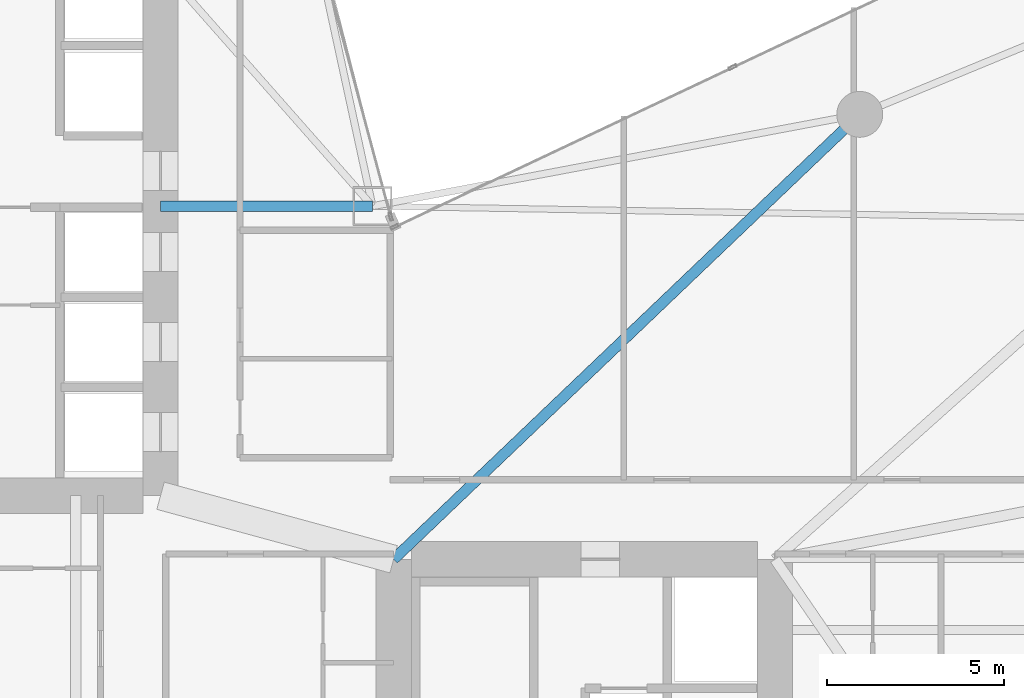
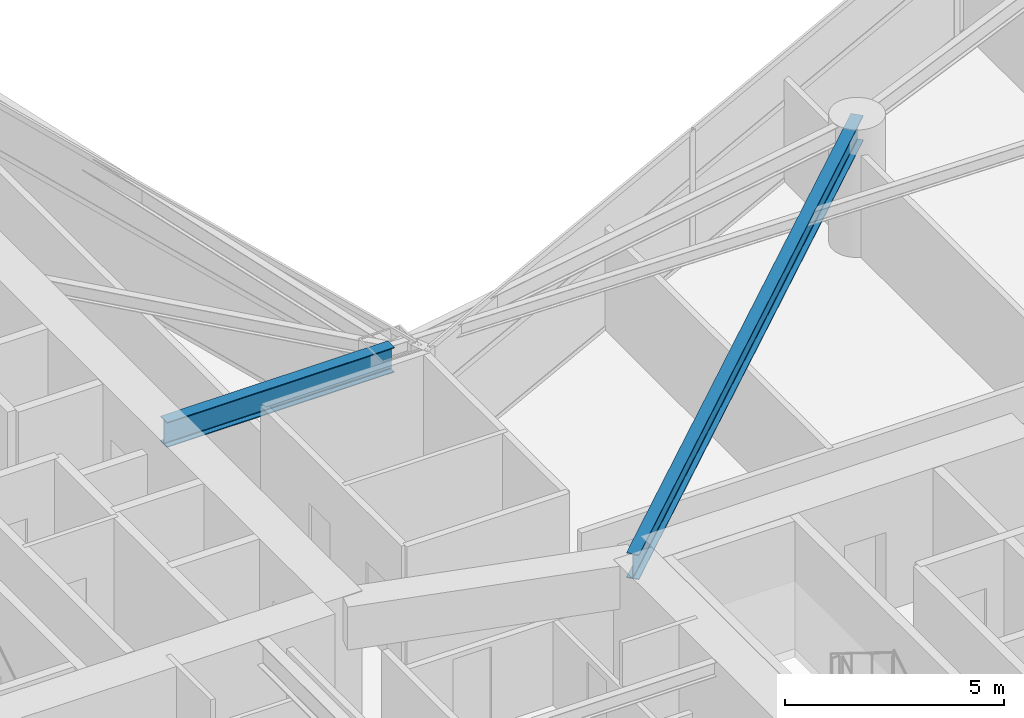
# One storey, part 9 of 30: 2 beams.
"""IFC4 building model written with IfcOpenShell, lengths in metres."""

from ifc_helpers import new_model, si_unit, direction, frame, origin, origin_2d, place, context, subcontext, project, spatial, i_section, extrude, material, material_profile, profile_set, type_object, element, save


model = new_model("IFC4")

# Units and contexts
model_context = context("Model", 3, precision=1e-05, world=origin(), true_north=direction((0.0, 1.0)))
body_context = subcontext(model_context, "Body", "Model", "MODEL_VIEW")
ifc_project = project(units=[si_unit("LENGTHUNIT", "METRE"), si_unit("AREAUNIT", "SQUARE_METRE"), si_unit("VOLUMEUNIT", "CUBIC_METRE"), si_unit("PLANEANGLEUNIT", "RADIAN"), si_unit("MASSUNIT", "GRAM", prefix="KILO")], contexts=[model_context])

# Site, building, storey
site_placement = place(None, origin())
site = spatial("IfcSite", under=ifc_project, at=site_placement, CompositionType="ELEMENT")
building_placement = place(site_placement, origin())
building = spatial("IfcBuilding", under=site, at=building_placement, Name="Calvorn Quay Hotel", CompositionType="ELEMENT")
storey_placement = place(building_placement, frame((0.0, 0.0, 73.60009765625)))
storey = spatial("IfcBuildingStorey", under=building, at=storey_placement, Name="L17", CompositionType="ELEMENT", Elevation=73.60009765625)

# Beams
ifc_material = material(Name="Steel Q390GJC", Category="steel")
ifc_material_profile = material_profile(ifc_material, i_section(OverallWidth=0.300048828125, OverallDepth=0.699951171875, WebThickness=0.012939453125, FlangeThickness=0.02392578125, FilletRadius=0.02392578125, at=origin_2d()), Name="HN700x300x13x24")
ifc_profile_set = profile_set([ifc_material_profile], Name="Steel Q390GJC")
beam_type = type_object("IfcBeamType", Name="BM-GIRD-MAIN", PredefinedType="BEAM", material=ifc_profile_set)
beam_1_placement = place(storey_placement, frame((21.0, 25.0, 3.18994140625), z_axis=(-1.0, 0.0, 0.0), x_axis=(0.0, -1.0, 0.0)))
element("IfcBeam", 1, at=beam_1_placement, inside=storey, type_object=beam_type, Name="Beam BG-L17-W7", PredefinedType="BEAM", context=body_context, shape_type="SweptSolid", body=[
    extrude(i_section(OverallWidth=0.300048828125, OverallDepth=0.699951171875, WebThickness=0.012939453125, FlangeThickness=0.02392578125, FilletRadius=0.02392578125, at=origin_2d()), origin(), (0.0, 0.0, 1.0), 6.0),
])
beam_2_placement = place(storey_placement, frame((21.60009765625, 15.0, 3.18994140625), z_axis=(0.723351595578, 0.690479883252, 0.0), x_axis=(-0.690479883252, 0.723351595578, 0.0)))
element("IfcBeam", 2, at=beam_2_placement, inside=storey, type_object=beam_type, Name="Beam BG-L17-E4", PredefinedType="BEAM", context=body_context, shape_type="SweptSolid", body=[
    extrude(i_section(OverallWidth=0.300048828125, OverallDepth=0.699951171875, WebThickness=0.012939453125, FlangeThickness=0.02392578125, FilletRadius=0.02392578125, at=origin_2d()), origin(), (0.0, 0.0, 1.0), 18.248291015625),
])

save(model, "model.ifc")
